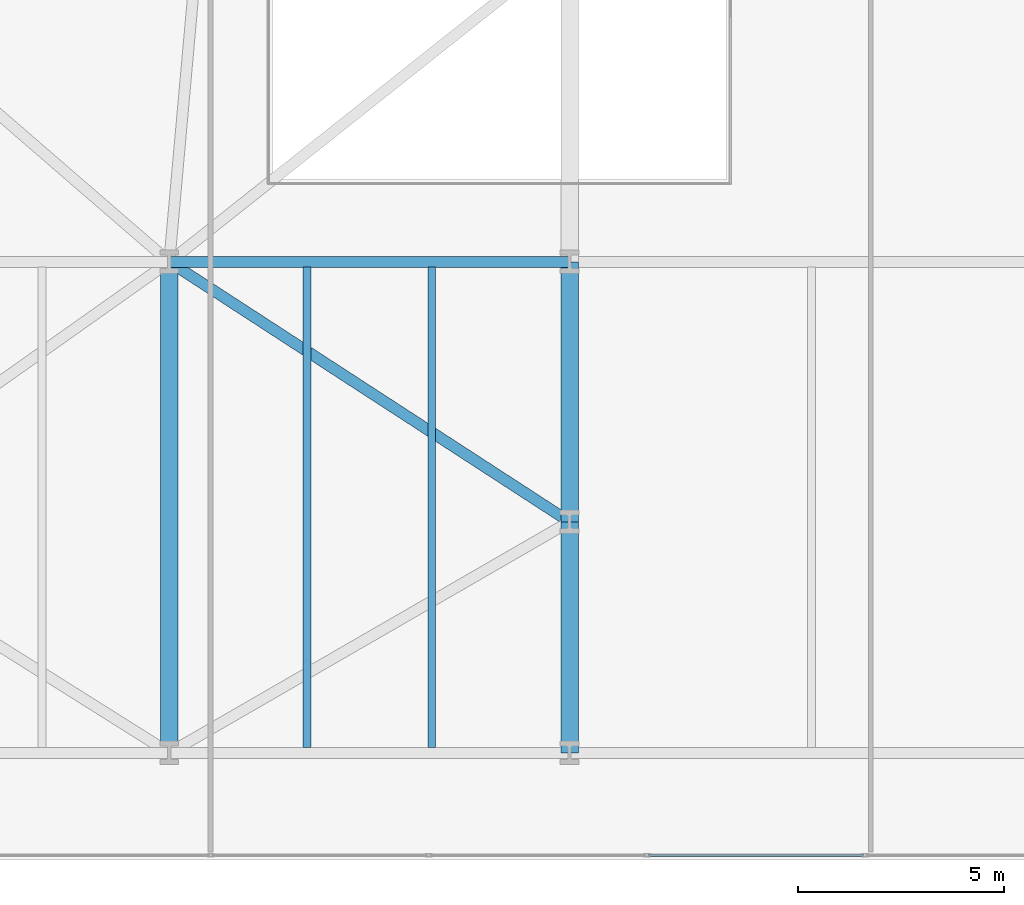
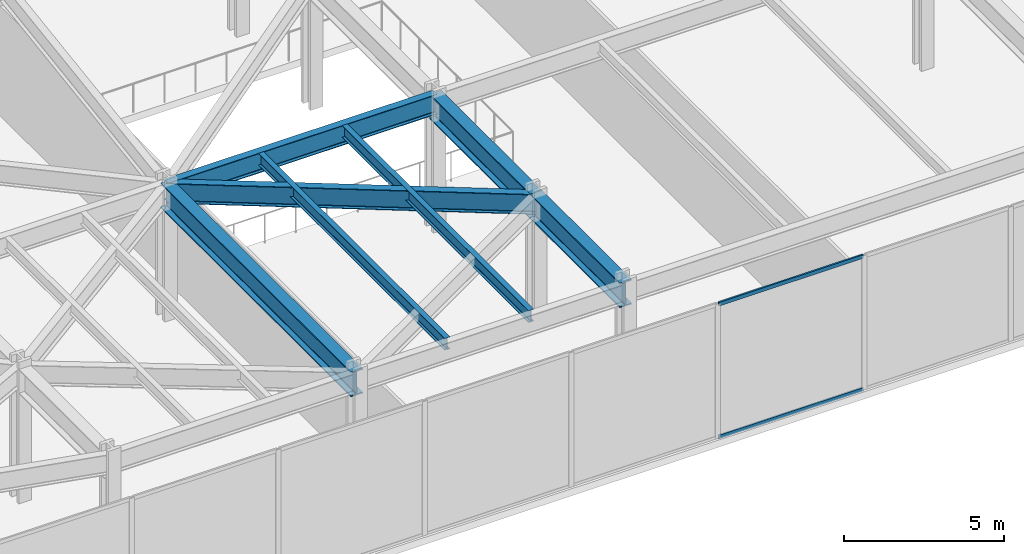
# One storey, part 7 of 29: 7 beams, 2 members, 1 element without a shape of its own.
"""IFC4 building model written with IfcOpenShell, lengths in metres."""

from ifc_helpers import new_model, si_unit, direction, frame, origin, origin_2d, place, context, subcontext, project, spatial, hollow_rectangle, i_section, extrude, material, layer, layer_set, material_profile, profile_set, type_object, element, aggregate, save


model = new_model("IFC4")

# Units and contexts
model_context = context("Model", 3, precision=1e-05, world=origin(), true_north=direction((0.0, 1.0)))
body_context = subcontext(model_context, "Body", "Model", "MODEL_VIEW")
ifc_project = project(units=[si_unit("LENGTHUNIT", "METRE"), si_unit("AREAUNIT", "SQUARE_METRE"), si_unit("VOLUMEUNIT", "CUBIC_METRE"), si_unit("PLANEANGLEUNIT", "RADIAN"), si_unit("MASSUNIT", "GRAM", prefix="KILO")], contexts=[model_context])

# Site, building, storey
site_placement = place(None, origin())
site = spatial("IfcSite", under=ifc_project, at=site_placement, CompositionType="ELEMENT")
building_placement = place(site_placement, origin())
building = spatial("IfcBuilding", under=site, at=building_placement, Name="Kravanh Interchange Tower", CompositionType="ELEMENT")
storey_placement = place(building_placement, frame((0.0, 0.0, 5.39990234375)))
storey = spatial("IfcBuildingStorey", under=building, at=storey_placement, Name="L01", CompositionType="ELEMENT", Elevation=5.39990234375)

# Curtain wall, members
ifc_material_1 = material(Name="Anodised Bronze Aluminium", Category="aluminium")
ifc_layer = layer(ifc_material_1, 0.179931640625)
ifc_layer_set = layer_set([ifc_layer], Name="Unitised Curtain Wall System CW-POD Podium Concourse")
curtain_wall_type = type_object("IfcCurtainWallType", Name="Unitised Curtain Wall System CW-POD Podium Concourse", PredefinedType="NOTDEFINED", material=ifc_layer_set)
curtain_wall_placement = place(storey_placement, origin())
curtain_wall = element("IfcCurtainWall", 1, at=curtain_wall_placement, inside=storey, type_object=curtain_wall_type, Name="L01 Unitised Curtain Wall CW-L01-04", PredefinedType="NOTDEFINED")
ifc_material_2 = material(Name="Anodised Bronze Aluminium", Category="aluminium")
ifc_material_profile_1 = material_profile(ifc_material_2, hollow_rectangle(XDim=0.06005859375, YDim=0.139892578125, WallThickness=0.00390625, at=origin_2d()), Name="ALU60X140X4")
ifc_profile_set_1 = profile_set([ifc_material_profile_1], Name="Anodised Bronze Aluminium")
member_type = type_object("IfcMemberType", Name="Curtain Wall Transom ALU60X140X4 Bronze", PredefinedType="USERDEFINED", material=ifc_profile_set_1)
member_1_placement = place(storey_placement, frame((34.32275390625, 0.1201171875, 0.030029296875), z_axis=(-1.0, 0.0, 0.0), x_axis=(0.0, -1.0, 0.0)))
member_1 = element("IfcMember", 2, at=member_1_placement, type_object=member_type, Name="CW-POD transom 8.1", ObjectType="TRANSOM", PredefinedType="USERDEFINED", context=body_context, shape_type="SweptSolid", body=[
    extrude(hollow_rectangle(XDim=0.06005859375, YDim=0.139892578125, WallThickness=0.00390625, at=origin_2d()), origin(), (0.0, 0.0, 1.0), 5.21484375),
])
member_2_placement = place(storey_placement, frame((34.32275390625, 0.1201171875, 5.10009765625), z_axis=(-1.0, 0.0, 0.0), x_axis=(0.0, -1.0, 0.0)))
member_2 = element("IfcMember", 3, at=member_2_placement, type_object=member_type, Name="CW-POD transom 8.2", ObjectType="TRANSOM", PredefinedType="USERDEFINED", context=body_context, shape_type="SweptSolid", body=[
    extrude(hollow_rectangle(XDim=0.06005859375, YDim=0.139892578125, WallThickness=0.00390625, at=origin_2d()), origin(), (0.0, 0.0, 1.0), 5.21484375),
])
aggregate(curtain_wall, [member_1, member_2])

# Beams
ifc_material_3 = material(Name="Structural Steel S450", Category="steel")
ifc_material_profile_2 = material_profile(ifc_material_3, i_section(OverallWidth=0.423095703125, OverallDepth=0.947998046875, WebThickness=0.02392578125, FlangeThickness=0.042724609375, FilletRadius=0.028076171875, at=origin_2d()), Name="W36X302")
ifc_profile_set_2 = profile_set([ifc_material_profile_2], Name="Structural Steel S450")
beam_type_1 = type_object("IfcBeamType", Name="Floor Beam W36X302 Structural Steel S450", PredefinedType="BEAM", material=ifc_profile_set_2)
beam_1_placement = place(storey_placement, frame((17.5, 2.60009765625, 4.656005859375), z_axis=(0.0, 1.0, 0.0), x_axis=(-1.0, 0.0, 0.0)))
element("IfcBeam", 4, at=beam_1_placement, inside=storey, type_object=beam_type_1, Name="L01 Primary Floor Girder 7", PredefinedType="BEAM", context=body_context, shape_type="SweptSolid", body=[
    extrude(i_section(OverallWidth=0.423095703125, OverallDepth=0.947998046875, WebThickness=0.02392578125, FlangeThickness=0.042724609375, FilletRadius=0.028076171875, at=origin_2d()), origin(), (0.0, 0.0, 1.0), 11.89990234375),
])
beam_2_placement = place(storey_placement, frame((27.199951171875, 2.60009765625, 4.656005859375), z_axis=(0.0, 1.0, 0.0), x_axis=(-1.0, 0.0, 0.0)))
element("IfcBeam", 5, at=beam_2_placement, inside=storey, type_object=beam_type_1, Name="L01 Primary Floor Girder 8", PredefinedType="BEAM", context=body_context, shape_type="SweptSolid", body=[
    extrude(i_section(OverallWidth=0.423095703125, OverallDepth=0.947998046875, WebThickness=0.02392578125, FlangeThickness=0.042724609375, FilletRadius=0.028076171875, at=origin_2d()), origin(), (0.0, 0.0, 1.0), 5.599853515625),
])
beam_3_placement = place(storey_placement, frame((27.199951171875, 8.199951171875, 4.656005859375), z_axis=(0.0, 1.0, 0.0), x_axis=(-1.0, 0.0, 0.0)))
element("IfcBeam", 6, at=beam_3_placement, inside=storey, type_object=beam_type_1, Name="L01 Primary Floor Girder 27", PredefinedType="BEAM", context=body_context, shape_type="SweptSolid", body=[
    extrude(i_section(OverallWidth=0.423095703125, OverallDepth=0.947998046875, WebThickness=0.02392578125, FlangeThickness=0.042724609375, FilletRadius=0.028076171875, at=origin_2d()), origin(), (0.0, 0.0, 1.0), 6.300048828125),
])
ifc_material_4 = material(Name="Structural Steel S355", Category="steel")
ifc_material_profile_3 = material_profile(ifc_material_4, i_section(OverallWidth=0.18994140625, OverallDepth=0.45703125, WebThickness=0.009033203125, FlangeThickness=0.014404296875, FilletRadius=0.01806640625, at=origin_2d()), Name="W18X50")
ifc_profile_set_3 = profile_set([ifc_material_profile_3], Name="Structural Steel S355")
beam_type_2 = type_object("IfcBeamType", Name="Floor Joist W18X50 Structural Steel S355", PredefinedType="JOIST", material=ifc_profile_set_3)
for number, where, z_axis, x_axis, name in (
    (7, (20.837890625, 2.728515625, 4.901611328125), (0.0, 1.0, 0.0), (-1.0, 0.0, 0.0), "L01 Secondary Floor Joist 3"),
    (8, (23.862060546875, 2.728515625, 4.901611328125), (0.0, 1.0, 0.0), (-1.0, 0.0, 0.0), "L01 Secondary Floor Joist 4"),
):
    element("IfcBeam", number, at=place(storey_placement, frame(where, z_axis=z_axis, x_axis=x_axis)), inside=storey, type_object=beam_type_2, Name=name, PredefinedType="JOIST", context=body_context, shape_type="SweptSolid", body=[
        extrude(i_section(OverallWidth=0.18994140625, OverallDepth=0.45703125, WebThickness=0.009033203125, FlangeThickness=0.014404296875, FilletRadius=0.01806640625, at=origin_2d()), origin(), (0.0, 0.0, 1.0), 11.64306640625),
    ])
ifc_material_5 = material(Name="Structural Steel S355", Category="steel")
ifc_material_profile_4 = material_profile(ifc_material_5, i_section(OverallWidth=0.26708984375, OverallDepth=0.761962890625, WebThickness=0.014404296875, FlangeThickness=0.021484375, FilletRadius=0.02490234375, at=origin_2d()), Name="W30X116")
ifc_profile_set_4 = profile_set([ifc_material_profile_4], Name="Structural Steel S355")
beam_type_3 = type_object("IfcBeamType", Name="Floor Spandrel W30X116 Structural Steel S355", PredefinedType="SPANDREL", material=ifc_profile_set_4)
beam_4_placement = place(storey_placement, frame((27.199951171875, 8.199951171875, 4.7490234375), z_axis=(-0.838637911458, 0.544689318295, 0.0), x_axis=(-0.544689318295, -0.838637911458, 0.0)))
element("IfcBeam", 9, at=beam_4_placement, inside=storey, type_object=beam_type_3, Name="L01 Perimeter Spandrel 28", PredefinedType="SPANDREL", context=body_context, shape_type="SweptSolid", body=[
    extrude(i_section(OverallWidth=0.26708984375, OverallDepth=0.761962890625, WebThickness=0.014404296875, FlangeThickness=0.021484375, FilletRadius=0.02490234375, at=origin_2d()), origin(), (0.0, 0.0, 1.0), 11.56640625),
])
beam_5_placement = place(storey_placement, frame((17.5, 14.5, 4.7490234375), z_axis=(1.0, 0.0, 0.0), x_axis=(0.0, 1.0, 0.0)))
element("IfcBeam", 10, at=beam_5_placement, inside=storey, type_object=beam_type_3, Name="L01 Perimeter Spandrel 41", PredefinedType="SPANDREL", context=body_context, shape_type="SweptSolid", body=[
    extrude(i_section(OverallWidth=0.26708984375, OverallDepth=0.761962890625, WebThickness=0.014404296875, FlangeThickness=0.021484375, FilletRadius=0.02490234375, at=origin_2d()), origin(), (0.0, 0.0, 1.0), 9.699951171875),
])

save(model, "model.ifc")
